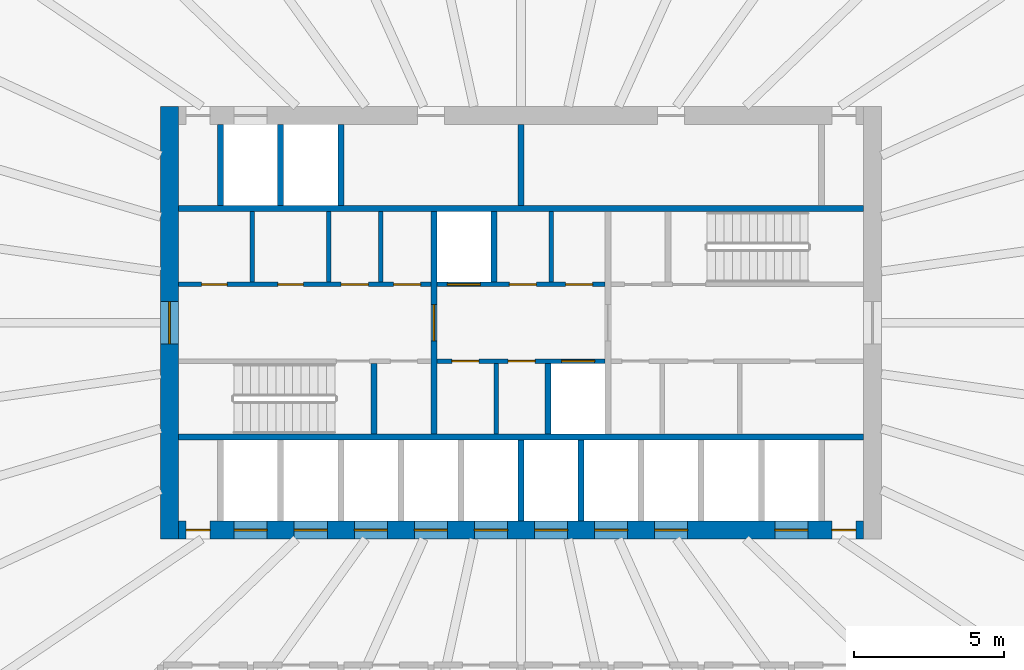
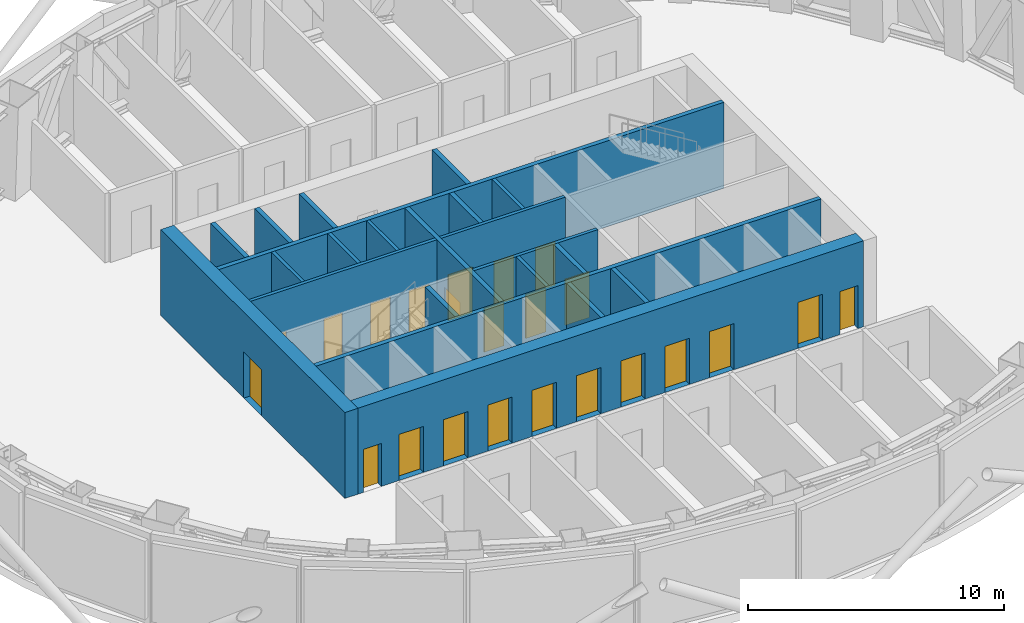
# One storey, part 6 of 18: 23 doors, 22 walls, 23 openings.
"""IFC4 building model written with IfcOpenShell, lengths in metres."""

from ifc_helpers import new_model, si_unit, direction, frame, frame_2d, origin, place, context, subcontext, project, spatial, rectangle, extrude, material, layer, layer_set, type_object, element, fill, save


model = new_model("IFC4")

# Units and contexts
model_context = context("Model", 3, precision=1e-05, world=origin(), true_north=direction((0.0, 1.0)))
body_context = subcontext(model_context, "Body", "Model", "MODEL_VIEW")
ifc_project = project(units=[si_unit("LENGTHUNIT", "METRE"), si_unit("AREAUNIT", "SQUARE_METRE"), si_unit("VOLUMEUNIT", "CUBIC_METRE"), si_unit("PLANEANGLEUNIT", "RADIAN"), si_unit("MASSUNIT", "GRAM", prefix="KILO")], contexts=[model_context])

# Site, building, storey
site_placement = place(None, origin())
site = spatial("IfcSite", under=ifc_project, at=site_placement, CompositionType="ELEMENT")
building_placement = place(site_placement, origin())
building = spatial("IfcBuilding", under=site, at=building_placement, Name="Siaravel Broadcast Tower", CompositionType="ELEMENT")
storey_placement = place(building_placement, frame((0.0, 0.0, 92.60009765625)))
storey = spatial("IfcBuildingStorey", under=building, at=storey_placement, Name="L21", CompositionType="ELEMENT", Elevation=92.60009765625)

# Walls
ifc_material_1 = material(Name="Concrete blockwork", Category="masonry")
ifc_layer_1 = layer(ifc_material_1, 0.14990234375)
ifc_layer_set_1 = layer_set([ifc_layer_1], Name="Concrete blockwork")
wall_type_1 = type_object("IfcWallType", Name="Core partition 150", PredefinedType="PARTITIONING", material=ifc_layer_set_1)
for number, where, z_axis, x_axis, name in (
    (1, (-8.93994140625, 1.35009765625, 0.0), (0.0, 0.0, 1.0), (0.0, 1.0, 0.0), "L21 core partition PNW0"),
    (2, (-6.405029296875, 1.35009765625, 0.0), (0.0, 0.0, 1.0), (0.0, 1.0, 0.0), "L21 core partition PNW1"),
    (3, (-4.6650390625, 1.35009765625, 0.0), (0.0, 0.0, 1.0), (0.0, 1.0, 0.0), "L21 core partition PNW2"),
    (4, (1.0, 1.35009765625, 0.0), (0.0, 0.0, 1.0), (0.0, 1.0, 0.0), "L21 core partition PNM0"),
    (5, (-0.827392578125, -3.699951171875, 0.0), (0.0, 0.0, 1.0), (0.0, 1.0, 0.0), "L21 core partition PSM0"),
):
    element("IfcWall", number, at=place(storey_placement, frame(where, z_axis=z_axis, x_axis=x_axis)), inside=storey, type_object=wall_type_1, Name=name, PredefinedType="PARTITIONING", context=body_context, shape_type="SweptSolid", body=[
        extrude(rectangle(XDim=2.349853515625, YDim=0.14990234375, at=frame_2d((1.1748046875, 0.0))), origin(), (0.0, 0.0, 1.0), 4.099853515625),
    ])
ifc_layer_2 = layer(ifc_material_1, 0.199951171875)
ifc_layer_set_2 = layer_set([ifc_layer_2], Name="Concrete blockwork")
wall_type_2 = type_object("IfcWallType", Name="Core partition 200", PredefinedType="PARTITIONING", material=ifc_layer_set_2)
wall_1_placement = place(storey_placement, frame((0.0, 3.89990234375, 0.0), z_axis=(0.0, 0.0, 1.0), x_axis=(0.0, 1.0, 0.0)))
element("IfcWall", 6, at=wall_1_placement, inside=storey, type_object=wall_type_2, Name="L21 core partition PFN2", PredefinedType="PARTITIONING", context=body_context, shape_type="SweptSolid", body=[
    extrude(rectangle(XDim=2.7001953125, YDim=0.199951171875, at=frame_2d((1.35009765625, 0.0))), origin(), (0.0, 0.0, 1.0), 4.099853515625),
])

# Wall, opening, door
ifc_material_2 = material(Name="Concrete C60/75", Category="concrete")
ifc_layer_3 = layer(ifc_material_2, 0.60009765625)
ifc_layer_set_3 = layer_set([ifc_layer_3], Name="Concrete C60/75")
wall_type_3 = type_object("IfcWallType", Name="Core wall 600", PredefinedType="SHEAR", material=ifc_layer_set_3)
wall_2_placement = place(storey_placement, frame((-11.699951171875, -7.199951171875, 0.0), z_axis=(0.0, 0.0, 1.0), x_axis=(0.0, 1.0, 0.0)))
wall_2 = element("IfcWall", 7, at=wall_2_placement, inside=storey, type_object=wall_type_3, Name="L21 core wall OW", PredefinedType="SHEAR", context=body_context, shape_type="SweptSolid", body=[
    extrude(rectangle(XDim=14.39990234375, YDim=0.60009765625, at=frame_2d((7.199951171875, 0.0))), origin(), (0.0, 0.0, 1.0), 4.099853515625),
])
opening_1_placement = place(wall_2_placement, frame((6.5, 0.0, 0.0)))
opening_1 = element("IfcOpeningElement", 8, at=opening_1_placement, cuts=wall_2, Name="Opening L21-DX-W", PredefinedType="OPENING", context=body_context, shape_type="SweptSolid", body=[
    extrude(rectangle(XDim=1.39990234375, YDim=2.199951171875, at=frame_2d((0.699951171875, 1.10009765625))), frame((0.0, 0.31005859375, 0.0), z_axis=(0.0, -1.0, 0.0), x_axis=(1.0, 0.0, 0.0)), (0.0, 0.0, 1.0), 0.6201171875),
])
ifc_material_3 = material(Name="Steel", Category="steel")
door_type_1 = type_object("IfcDoorType", Name="Core exit door 1400", OperationType="DOUBLE_DOOR_SINGLE_SWING", PredefinedType="DOOR", material=ifc_material_3)
door_1_placement = place(opening_1_placement, origin())
door_1 = element("IfcDoor", 9, at=door_1_placement, inside=storey, type_object=door_type_1, Name="L21 door DX-W", OperationType="DOUBLE_DOOR_SINGLE_SWING", OverallHeight=2.199951171875, OverallWidth=1.39990234375, PredefinedType="DOOR", context=body_context, shape_type="SweptSolid", body=[
    extrude(rectangle(XDim=1.39990234375, YDim=2.199951171875, at=frame_2d((0.699951171875, 1.10009765625))), frame((0.0, 0.02490234375, 0.0), z_axis=(0.0, -1.0, 0.0), x_axis=(1.0, 0.0, 0.0)), (0.0, 0.0, 1.0), 0.050048828125),
])
fill(opening_1, door_1)

# Wall, openings, doors
wall_3_placement = place(storey_placement, frame((-11.39990234375, -6.89990234375, 0.0), z_axis=(0.0, 0.0, 1.0), x_axis=(1.0, 0.0, 0.0)))
wall_3 = element("IfcWall", 10, at=wall_3_placement, inside=storey, type_object=wall_type_3, Name="L21 core wall OS", PredefinedType="SHEAR", context=body_context, shape_type="SweptSolid", body=[
    extrude(rectangle(XDim=22.7998046875, YDim=0.60009765625, at=frame_2d((11.39990234375, 0.0))), origin(), (0.0, 0.0, 1.0), 4.099853515625),
])
opening_2_placement = place(wall_3_placement, frame((1.85009765625, 0.0, 0.0)))
opening_2 = element("IfcOpeningElement", 11, at=opening_2_placement, cuts=wall_3, Name="Opening LD-LP1-L21", PredefinedType="OPENING", context=body_context, shape_type="SweptSolid", body=[
    extrude(rectangle(XDim=1.10009765625, YDim=2.199951171875, at=frame_2d((0.550048828125, 1.10009765625))), frame((0.0, 0.31005859375, 0.0), z_axis=(0.0, -1.0, 0.0), x_axis=(1.0, 0.0, 0.0)), (0.0, 0.0, 1.0), 0.6201171875),
])
opening_3_placement = place(wall_3_placement, frame((3.85009765625, 0.0, 0.0)))
opening_3 = element("IfcOpeningElement", 12, at=opening_3_placement, cuts=wall_3, Name="Opening LD-LP2-L21", PredefinedType="OPENING", context=body_context, shape_type="SweptSolid", body=[
    extrude(rectangle(XDim=1.10009765625, YDim=2.199951171875, at=frame_2d((0.550048828125, 1.10009765625))), frame((0.0, 0.31005859375, 0.0), z_axis=(0.0, -1.0, 0.0), x_axis=(1.0, 0.0, 0.0)), (0.0, 0.0, 1.0), 0.6201171875),
])
opening_4_placement = place(wall_3_placement, frame((5.85009765625, 0.0, 0.0)))
opening_4 = element("IfcOpeningElement", 13, at=opening_4_placement, cuts=wall_3, Name="Opening LD-LP3-L21", PredefinedType="OPENING", context=body_context, shape_type="SweptSolid", body=[
    extrude(rectangle(XDim=1.10009765625, YDim=2.199951171875, at=frame_2d((0.550048828125, 1.10009765625))), frame((0.0, 0.31005859375, 0.0), z_axis=(0.0, -1.0, 0.0), x_axis=(1.0, 0.0, 0.0)), (0.0, 0.0, 1.0), 0.6201171875),
])
opening_5_placement = place(wall_3_placement, frame((7.85009765625, 0.0, 0.0)))
opening_5 = element("IfcOpeningElement", 14, at=opening_5_placement, cuts=wall_3, Name="Opening LD-LP4-L21", PredefinedType="OPENING", context=body_context, shape_type="SweptSolid", body=[
    extrude(rectangle(XDim=1.10009765625, YDim=2.199951171875, at=frame_2d((0.550048828125, 1.10009765625))), frame((0.0, 0.31005859375, 0.0), z_axis=(0.0, -1.0, 0.0), x_axis=(1.0, 0.0, 0.0)), (0.0, 0.0, 1.0), 0.6201171875),
])
opening_6_placement = place(wall_3_placement, frame((9.85009765625, 0.0, 0.0)))
opening_6 = element("IfcOpeningElement", 15, at=opening_6_placement, cuts=wall_3, Name="Opening LD-LP5-L21", PredefinedType="OPENING", context=body_context, shape_type="SweptSolid", body=[
    extrude(rectangle(XDim=1.10009765625, YDim=2.199951171875, at=frame_2d((0.550048828125, 1.10009765625))), frame((0.0, 0.31005859375, 0.0), z_axis=(0.0, -1.0, 0.0), x_axis=(1.0, 0.0, 0.0)), (0.0, 0.0, 1.0), 0.6201171875),
])
opening_7_placement = place(wall_3_placement, frame((11.85009765625, 0.0, 0.0)))
opening_7 = element("IfcOpeningElement", 16, at=opening_7_placement, cuts=wall_3, Name="Opening LD-LP6-L21", PredefinedType="OPENING", context=body_context, shape_type="SweptSolid", body=[
    extrude(rectangle(XDim=1.10009765625, YDim=2.199951171875, at=frame_2d((0.550048828125, 1.10009765625))), frame((0.0, 0.31005859375, 0.0), z_axis=(0.0, -1.0, 0.0), x_axis=(1.0, 0.0, 0.0)), (0.0, 0.0, 1.0), 0.6201171875),
])
opening_8_placement = place(wall_3_placement, frame((13.85009765625, 0.0, 0.0)))
opening_8 = element("IfcOpeningElement", 17, at=opening_8_placement, cuts=wall_3, Name="Opening LD-LP7-L21", PredefinedType="OPENING", context=body_context, shape_type="SweptSolid", body=[
    extrude(rectangle(XDim=1.10009765625, YDim=2.199951171875, at=frame_2d((0.550048828125, 1.10009765625))), frame((0.0, 0.31005859375, 0.0), z_axis=(0.0, -1.0, 0.0), x_axis=(1.0, 0.0, 0.0)), (0.0, 0.0, 1.0), 0.6201171875),
])
opening_9_placement = place(wall_3_placement, frame((15.85009765625, 0.0, 0.0)))
opening_9 = element("IfcOpeningElement", 18, at=opening_9_placement, cuts=wall_3, Name="Opening LD-LP8-L21", PredefinedType="OPENING", context=body_context, shape_type="SweptSolid", body=[
    extrude(rectangle(XDim=1.10009765625, YDim=2.199951171875, at=frame_2d((0.550048828125, 1.10009765625))), frame((0.0, 0.31005859375, 0.0), z_axis=(0.0, -1.0, 0.0), x_axis=(1.0, 0.0, 0.0)), (0.0, 0.0, 1.0), 0.6201171875),
])
opening_10_placement = place(wall_3_placement, frame((19.85009765625, 0.0, 0.0)))
opening_10 = element("IfcOpeningElement", 19, at=opening_10_placement, cuts=wall_3, Name="Opening LD-SV1-L21", PredefinedType="OPENING", context=body_context, shape_type="SweptSolid", body=[
    extrude(rectangle(XDim=1.10009765625, YDim=2.199951171875, at=frame_2d((0.550048828125, 1.10009765625))), frame((0.0, 0.31005859375, 0.0), z_axis=(0.0, -1.0, 0.0), x_axis=(1.0, 0.0, 0.0)), (0.0, 0.0, 1.0), 0.6201171875),
])
opening_11_placement = place(wall_3_placement, frame((0.25, 0.0, 0.0)))
opening_11 = element("IfcOpeningElement", 20, at=opening_11_placement, cuts=wall_3, Name="Opening L21-DRSW", PredefinedType="OPENING", context=body_context, shape_type="SweptSolid", body=[
    extrude(rectangle(XDim=0.800048828125, YDim=2.050048828125, at=frame_2d((0.39990234375, 1.02490234375))), frame((0.0, 0.31005859375, 0.0), z_axis=(0.0, -1.0, 0.0), x_axis=(1.0, 0.0, 0.0)), (0.0, 0.0, 1.0), 0.6201171875),
])
opening_12_placement = place(wall_3_placement, frame((21.75, 0.0, 0.0)))
opening_12 = element("IfcOpeningElement", 21, at=opening_12_placement, cuts=wall_3, Name="Opening L21-DRSE", PredefinedType="OPENING", context=body_context, shape_type="SweptSolid", body=[
    extrude(rectangle(XDim=0.800048828125, YDim=2.050048828125, at=frame_2d((0.39990234375, 1.02490234375))), frame((0.0, 0.31005859375, 0.0), z_axis=(0.0, -1.0, 0.0), x_axis=(1.0, 0.0, 0.0)), (0.0, 0.0, 1.0), 0.6201171875),
])
ifc_material_4 = material(Name="Stainless steel 316L", Category="steel")
door_type_2 = type_object("IfcDoorType", Name="Lift landing door 1100", OperationType="DOUBLE_DOOR_SLIDING", PredefinedType="DOOR", material=ifc_material_4)
door_2_placement = place(opening_2_placement, origin())
door_2 = element("IfcDoor", 22, at=door_2_placement, inside=storey, type_object=door_type_2, Name="Landing door LP1 L21", OperationType="DOUBLE_DOOR_SLIDING", OverallHeight=2.199951171875, OverallWidth=1.10009765625, PredefinedType="DOOR", context=body_context, shape_type="SweptSolid", body=[
    extrude(rectangle(XDim=1.10009765625, YDim=2.199951171875, at=frame_2d((0.550048828125, 1.10009765625))), frame((0.0, 0.02490234375, 0.0), z_axis=(0.0, -1.0, 0.0), x_axis=(1.0, 0.0, 0.0)), (0.0, 0.0, 1.0), 0.050048828125),
])
fill(opening_2, door_2)
door_3_placement = place(opening_3_placement, origin())
door_3 = element("IfcDoor", 23, at=door_3_placement, inside=storey, type_object=door_type_2, Name="Landing door LP2 L21", OperationType="DOUBLE_DOOR_SLIDING", OverallHeight=2.199951171875, OverallWidth=1.10009765625, PredefinedType="DOOR", context=body_context, shape_type="SweptSolid", body=[
    extrude(rectangle(XDim=1.10009765625, YDim=2.199951171875, at=frame_2d((0.550048828125, 1.10009765625))), frame((0.0, 0.02490234375, 0.0), z_axis=(0.0, -1.0, 0.0), x_axis=(1.0, 0.0, 0.0)), (0.0, 0.0, 1.0), 0.050048828125),
])
fill(opening_3, door_3)
door_4_placement = place(opening_4_placement, origin())
door_4 = element("IfcDoor", 24, at=door_4_placement, inside=storey, type_object=door_type_2, Name="Landing door LP3 L21", OperationType="DOUBLE_DOOR_SLIDING", OverallHeight=2.199951171875, OverallWidth=1.10009765625, PredefinedType="DOOR", context=body_context, shape_type="SweptSolid", body=[
    extrude(rectangle(XDim=1.10009765625, YDim=2.199951171875, at=frame_2d((0.550048828125, 1.10009765625))), frame((0.0, 0.02490234375, 0.0), z_axis=(0.0, -1.0, 0.0), x_axis=(1.0, 0.0, 0.0)), (0.0, 0.0, 1.0), 0.050048828125),
])
fill(opening_4, door_4)
door_5_placement = place(opening_5_placement, origin())
door_5 = element("IfcDoor", 25, at=door_5_placement, inside=storey, type_object=door_type_2, Name="Landing door LP4 L21", OperationType="DOUBLE_DOOR_SLIDING", OverallHeight=2.199951171875, OverallWidth=1.10009765625, PredefinedType="DOOR", context=body_context, shape_type="SweptSolid", body=[
    extrude(rectangle(XDim=1.10009765625, YDim=2.199951171875, at=frame_2d((0.550048828125, 1.10009765625))), frame((0.0, 0.02490234375, 0.0), z_axis=(0.0, -1.0, 0.0), x_axis=(1.0, 0.0, 0.0)), (0.0, 0.0, 1.0), 0.050048828125),
])
fill(opening_5, door_5)
door_6_placement = place(opening_6_placement, origin())
door_6 = element("IfcDoor", 26, at=door_6_placement, inside=storey, type_object=door_type_2, Name="Landing door LP5 L21", OperationType="DOUBLE_DOOR_SLIDING", OverallHeight=2.199951171875, OverallWidth=1.10009765625, PredefinedType="DOOR", context=body_context, shape_type="SweptSolid", body=[
    extrude(rectangle(XDim=1.10009765625, YDim=2.199951171875, at=frame_2d((0.550048828125, 1.10009765625))), frame((0.0, 0.02490234375, 0.0), z_axis=(0.0, -1.0, 0.0), x_axis=(1.0, 0.0, 0.0)), (0.0, 0.0, 1.0), 0.050048828125),
])
fill(opening_6, door_6)
door_7_placement = place(opening_7_placement, origin())
door_7 = element("IfcDoor", 27, at=door_7_placement, inside=storey, type_object=door_type_2, Name="Landing door LP6 L21", OperationType="DOUBLE_DOOR_SLIDING", OverallHeight=2.199951171875, OverallWidth=1.10009765625, PredefinedType="DOOR", context=body_context, shape_type="SweptSolid", body=[
    extrude(rectangle(XDim=1.10009765625, YDim=2.199951171875, at=frame_2d((0.550048828125, 1.10009765625))), frame((0.0, 0.02490234375, 0.0), z_axis=(0.0, -1.0, 0.0), x_axis=(1.0, 0.0, 0.0)), (0.0, 0.0, 1.0), 0.050048828125),
])
fill(opening_7, door_7)
door_8_placement = place(opening_8_placement, origin())
door_8 = element("IfcDoor", 28, at=door_8_placement, inside=storey, type_object=door_type_2, Name="Landing door LP7 L21", OperationType="DOUBLE_DOOR_SLIDING", OverallHeight=2.199951171875, OverallWidth=1.10009765625, PredefinedType="DOOR", context=body_context, shape_type="SweptSolid", body=[
    extrude(rectangle(XDim=1.10009765625, YDim=2.199951171875, at=frame_2d((0.550048828125, 1.10009765625))), frame((0.0, 0.02490234375, 0.0), z_axis=(0.0, -1.0, 0.0), x_axis=(1.0, 0.0, 0.0)), (0.0, 0.0, 1.0), 0.050048828125),
])
fill(opening_8, door_8)
door_9_placement = place(opening_9_placement, origin())
door_9 = element("IfcDoor", 29, at=door_9_placement, inside=storey, type_object=door_type_2, Name="Landing door LP8 L21", OperationType="DOUBLE_DOOR_SLIDING", OverallHeight=2.199951171875, OverallWidth=1.10009765625, PredefinedType="DOOR", context=body_context, shape_type="SweptSolid", body=[
    extrude(rectangle(XDim=1.10009765625, YDim=2.199951171875, at=frame_2d((0.550048828125, 1.10009765625))), frame((0.0, 0.02490234375, 0.0), z_axis=(0.0, -1.0, 0.0), x_axis=(1.0, 0.0, 0.0)), (0.0, 0.0, 1.0), 0.050048828125),
])
fill(opening_9, door_9)
door_type_3 = type_object("IfcDoorType", Name="Riser door 800", OperationType="SINGLE_SWING_LEFT", PredefinedType="DOOR", material=ifc_material_3)
door_10_placement = place(opening_11_placement, origin())
door_10 = element("IfcDoor", 30, at=door_10_placement, inside=storey, type_object=door_type_3, Name="L21 door DRSW", OperationType="SINGLE_SWING_LEFT", OverallHeight=2.050048828125, OverallWidth=0.800048828125, PredefinedType="DOOR", context=body_context, shape_type="SweptSolid", body=[
    extrude(rectangle(XDim=0.800048828125, YDim=2.050048828125, at=frame_2d((0.39990234375, 1.02490234375))), frame((0.0, 0.02490234375, 0.0), z_axis=(0.0, -1.0, 0.0), x_axis=(1.0, 0.0, 0.0)), (0.0, 0.0, 1.0), 0.050048828125),
])
fill(opening_11, door_10)
door_11_placement = place(opening_12_placement, origin())
door_11 = element("IfcDoor", 31, at=door_11_placement, inside=storey, type_object=door_type_3, Name="L21 door DRSE", OperationType="SINGLE_SWING_LEFT", OverallHeight=2.050048828125, OverallWidth=0.800048828125, PredefinedType="DOOR", context=body_context, shape_type="SweptSolid", body=[
    extrude(rectangle(XDim=0.800048828125, YDim=2.050048828125, at=frame_2d((0.39990234375, 1.02490234375))), frame((0.0, 0.02490234375, 0.0), z_axis=(0.0, -1.0, 0.0), x_axis=(1.0, 0.0, 0.0)), (0.0, 0.0, 1.0), 0.050048828125),
])
fill(opening_12, door_11)
door_type_4 = type_object("IfcDoorType", Name="Service lift landing door 1100", OperationType="DOUBLE_DOOR_SLIDING", PredefinedType="DOOR", material=ifc_material_4)
door_12_placement = place(opening_10_placement, origin())
door_12 = element("IfcDoor", 32, at=door_12_placement, inside=storey, type_object=door_type_4, Name="Landing door SV1 L21", OperationType="DOUBLE_DOOR_SLIDING", OverallHeight=2.199951171875, OverallWidth=1.10009765625, PredefinedType="DOOR", context=body_context, shape_type="SweptSolid", body=[
    extrude(rectangle(XDim=1.10009765625, YDim=2.199951171875, at=frame_2d((0.550048828125, 1.10009765625))), frame((0.0, 0.02490234375, 0.0), z_axis=(0.0, -1.0, 0.0), x_axis=(1.0, 0.0, 0.0)), (0.0, 0.0, 1.0), 0.050048828125),
])
fill(opening_10, door_12)

ifc_material_5 = material(Name="Gypsum board partition", Category="gypsum")
ifc_layer_4 = layer(ifc_material_5, 0.14990234375)
ifc_layer_set_4 = layer_set([ifc_layer_4], Name="Gypsum board partition")
wall_type_4 = type_object("IfcWallType", Name="Corridor wall 150", PredefinedType="PARTITIONING", material=ifc_layer_set_4)
wall_4_placement = place(storey_placement, frame((-11.39990234375, 1.27490234375, 0.0), z_axis=(0.0, 0.0, 1.0), x_axis=(1.0, 0.0, 0.0)))
wall_4 = element("IfcWall", 33, at=wall_4_placement, inside=storey, type_object=wall_type_4, Name="L21 core partition CNW", PredefinedType="PARTITIONING", context=body_context, shape_type="SweptSolid", body=[
    extrude(rectangle(XDim=8.39990234375, YDim=0.14990234375, at=frame_2d((4.199951171875, 0.0))), origin(), (0.0, 0.0, 1.0), 4.099853515625),
])
opening_13_placement = place(wall_4_placement, frame((0.767578125, 0.0, 0.0)))
opening_13 = element("IfcOpeningElement", 34, at=opening_13_placement, cuts=wall_4, Name="Opening L21-DNW0", PredefinedType="OPENING", context=body_context, shape_type="SweptSolid", body=[
    extrude(rectangle(XDim=0.85009765625, YDim=2.10009765625, at=frame_2d((0.425048828125, 1.050048828125))), frame((0.0, 0.0849609375, 0.0), z_axis=(0.0, -1.0, 0.0), x_axis=(1.0, 0.0, 0.0)), (0.0, 0.0, 1.0), 0.169921875),
])
opening_14_placement = place(wall_4_placement, frame((3.302490234375, 0.0, 0.0)))
opening_14 = element("IfcOpeningElement", 35, at=opening_14_placement, cuts=wall_4, Name="Opening L21-DNW1", PredefinedType="OPENING", context=body_context, shape_type="SweptSolid", body=[
    extrude(rectangle(XDim=0.85009765625, YDim=2.10009765625, at=frame_2d((0.425048828125, 1.050048828125))), frame((0.0, 0.0849609375, 0.0), z_axis=(0.0, -1.0, 0.0), x_axis=(1.0, 0.0, 0.0)), (0.0, 0.0, 1.0), 0.169921875),
])
opening_15_placement = place(wall_4_placement, frame((5.4150390625, 0.0, 0.0)))
opening_15 = element("IfcOpeningElement", 36, at=opening_15_placement, cuts=wall_4, Name="Opening L21-DNW2", PredefinedType="OPENING", context=body_context, shape_type="SweptSolid", body=[
    extrude(rectangle(XDim=0.89990234375, YDim=2.10009765625, at=frame_2d((0.449951171875, 1.050048828125))), frame((0.0, 0.0849609375, 0.0), z_axis=(0.0, -1.0, 0.0), x_axis=(1.0, 0.0, 0.0)), (0.0, 0.0, 1.0), 0.169921875),
])
opening_16_placement = place(wall_4_placement, frame((7.155029296875, 0.0, 0.0)))
opening_16 = element("IfcOpeningElement", 37, at=opening_16_placement, cuts=wall_4, Name="Opening L21-DNW3", PredefinedType="OPENING", context=body_context, shape_type="SweptSolid", body=[
    extrude(rectangle(XDim=0.89990234375, YDim=2.10009765625, at=frame_2d((0.449951171875, 1.050048828125))), frame((0.0, 0.0849609375, 0.0), z_axis=(0.0, -1.0, 0.0), x_axis=(1.0, 0.0, 0.0)), (0.0, 0.0, 1.0), 0.169921875),
])
ifc_material_6 = material(Name="Timber veneer", Category="wood")
door_type_5 = type_object("IfcDoorType", Name="Core room door 900", OperationType="SINGLE_SWING_LEFT", PredefinedType="DOOR", material=ifc_material_6)
door_13_placement = place(opening_15_placement, origin())
door_13 = element("IfcDoor", 38, at=door_13_placement, inside=storey, type_object=door_type_5, Name="L21 door DNW2", OperationType="SINGLE_SWING_LEFT", OverallHeight=2.10009765625, OverallWidth=0.89990234375, PredefinedType="DOOR", context=body_context, shape_type="SweptSolid", body=[
    extrude(rectangle(XDim=0.89990234375, YDim=2.10009765625, at=frame_2d((0.449951171875, 1.050048828125))), frame((0.0, 0.02490234375, 0.0), z_axis=(0.0, -1.0, 0.0), x_axis=(1.0, 0.0, 0.0)), (0.0, 0.0, 1.0), 0.050048828125),
])
fill(opening_15, door_13)
door_14_placement = place(opening_16_placement, origin())
door_14 = element("IfcDoor", 39, at=door_14_placement, inside=storey, type_object=door_type_5, Name="L21 door DNW3", OperationType="SINGLE_SWING_LEFT", OverallHeight=2.10009765625, OverallWidth=0.89990234375, PredefinedType="DOOR", context=body_context, shape_type="SweptSolid", body=[
    extrude(rectangle(XDim=0.89990234375, YDim=2.10009765625, at=frame_2d((0.449951171875, 1.050048828125))), frame((0.0, 0.02490234375, 0.0), z_axis=(0.0, -1.0, 0.0), x_axis=(1.0, 0.0, 0.0)), (0.0, 0.0, 1.0), 0.050048828125),
])
fill(opening_16, door_14)
door_type_6 = type_object("IfcDoorType", Name="Core toilet door 850", OperationType="SINGLE_SWING_LEFT", PredefinedType="DOOR", material=ifc_material_6)
door_15_placement = place(opening_13_placement, origin())
door_15 = element("IfcDoor", 40, at=door_15_placement, inside=storey, type_object=door_type_6, Name="L21 door DNW0", OperationType="SINGLE_SWING_LEFT", OverallHeight=2.10009765625, OverallWidth=0.85009765625, PredefinedType="DOOR", context=body_context, shape_type="SweptSolid", body=[
    extrude(rectangle(XDim=0.85009765625, YDim=2.10009765625, at=frame_2d((0.425048828125, 1.050048828125))), frame((0.0, 0.02490234375, 0.0), z_axis=(0.0, -1.0, 0.0), x_axis=(1.0, 0.0, 0.0)), (0.0, 0.0, 1.0), 0.050048828125),
])
fill(opening_13, door_15)
door_16_placement = place(opening_14_placement, origin())
door_16 = element("IfcDoor", 41, at=door_16_placement, inside=storey, type_object=door_type_6, Name="L21 door DNW1", OperationType="SINGLE_SWING_LEFT", OverallHeight=2.10009765625, OverallWidth=0.85009765625, PredefinedType="DOOR", context=body_context, shape_type="SweptSolid", body=[
    extrude(rectangle(XDim=0.85009765625, YDim=2.10009765625, at=frame_2d((0.425048828125, 1.050048828125))), frame((0.0, 0.02490234375, 0.0), z_axis=(0.0, -1.0, 0.0), x_axis=(1.0, 0.0, 0.0)), (0.0, 0.0, 1.0), 0.050048828125),
])
fill(opening_14, door_16)

ifc_layer_5 = layer(ifc_material_2, 0.14990234375)
ifc_layer_set_5 = layer_set([ifc_layer_5], Name="Concrete C60/75")
wall_type_5 = type_object("IfcWallType", Name="Shaft wall 150", PredefinedType="SHEAR", material=ifc_layer_set_5)
wall_5_placement = place(storey_placement, frame((-2.800048828125, -1.27490234375, 0.0), z_axis=(0.0, 0.0, 1.0), x_axis=(1.0, 0.0, 0.0)))
wall_5 = element("IfcWall", 42, at=wall_5_placement, inside=storey, type_object=wall_type_5, Name="L21 core wall CSM", PredefinedType="SHEAR", context=body_context, shape_type="SweptSolid", body=[
    extrude(rectangle(XDim=5.60009765625, YDim=0.14990234375, at=frame_2d((2.800048828125, 0.0))), origin(), (0.0, 0.0, 1.0), 4.099853515625),
])
opening_17_placement = place(wall_5_placement, frame((4.14990234375, 0.0, 0.0)))
opening_17 = element("IfcOpeningElement", 43, at=opening_17_placement, cuts=wall_5, Name="Opening LD-FL2-L21", PredefinedType="OPENING", context=body_context, shape_type="SweptSolid", body=[
    extrude(rectangle(XDim=1.10009765625, YDim=2.199951171875, at=frame_2d((0.550048828125, 1.10009765625))), frame((0.0, 0.0849609375, 0.0), z_axis=(0.0, -1.0, 0.0), x_axis=(1.0, 0.0, 0.0)), (0.0, 0.0, 1.0), 0.169921875),
])
opening_18_placement = place(wall_5_placement, frame((0.498779296875, 0.0, 0.0)))
opening_18 = element("IfcOpeningElement", 44, at=opening_18_placement, cuts=wall_5, Name="Opening L21-DSM0", PredefinedType="OPENING", context=body_context, shape_type="SweptSolid", body=[
    extrude(rectangle(XDim=0.89990234375, YDim=2.10009765625, at=frame_2d((0.449951171875, 1.050048828125))), frame((0.0, 0.0849609375, 0.0), z_axis=(0.0, -1.0, 0.0), x_axis=(1.0, 0.0, 0.0)), (0.0, 0.0, 1.0), 0.169921875),
])
opening_19_placement = place(wall_5_placement, frame((2.373779296875, 0.0, 0.0)))
opening_19 = element("IfcOpeningElement", 45, at=opening_19_placement, cuts=wall_5, Name="Opening L21-DSM1", PredefinedType="OPENING", context=body_context, shape_type="SweptSolid", body=[
    extrude(rectangle(XDim=0.89990234375, YDim=2.10009765625, at=frame_2d((0.449951171875, 1.050048828125))), frame((0.0, 0.0849609375, 0.0), z_axis=(0.0, -1.0, 0.0), x_axis=(1.0, 0.0, 0.0)), (0.0, 0.0, 1.0), 0.169921875),
])
door_17_placement = place(opening_18_placement, origin())
door_17 = element("IfcDoor", 46, at=door_17_placement, inside=storey, type_object=door_type_5, Name="L21 door DSM0", OperationType="SINGLE_SWING_LEFT", OverallHeight=2.10009765625, OverallWidth=0.89990234375, PredefinedType="DOOR", context=body_context, shape_type="SweptSolid", body=[
    extrude(rectangle(XDim=0.89990234375, YDim=2.10009765625, at=frame_2d((0.449951171875, 1.050048828125))), frame((0.0, 0.02490234375, 0.0), z_axis=(0.0, -1.0, 0.0), x_axis=(1.0, 0.0, 0.0)), (0.0, 0.0, 1.0), 0.050048828125),
])
fill(opening_18, door_17)
door_18_placement = place(opening_19_placement, origin())
door_18 = element("IfcDoor", 47, at=door_18_placement, inside=storey, type_object=door_type_5, Name="L21 door DSM1", OperationType="SINGLE_SWING_LEFT", OverallHeight=2.10009765625, OverallWidth=0.89990234375, PredefinedType="DOOR", context=body_context, shape_type="SweptSolid", body=[
    extrude(rectangle(XDim=0.89990234375, YDim=2.10009765625, at=frame_2d((0.449951171875, 1.050048828125))), frame((0.0, 0.02490234375, 0.0), z_axis=(0.0, -1.0, 0.0), x_axis=(1.0, 0.0, 0.0)), (0.0, 0.0, 1.0), 0.050048828125),
])
fill(opening_19, door_18)
door_type_7 = type_object("IfcDoorType", Name="Firefighting lift landing door 1100", OperationType="DOUBLE_DOOR_SLIDING", PredefinedType="DOOR", material=ifc_material_4)
door_19_placement = place(opening_17_placement, origin())
door_19 = element("IfcDoor", 48, at=door_19_placement, inside=storey, type_object=door_type_7, Name="Landing door FL2 L21", OperationType="DOUBLE_DOOR_SLIDING", OverallHeight=2.199951171875, OverallWidth=1.10009765625, PredefinedType="DOOR", context=body_context, shape_type="SweptSolid", body=[
    extrude(rectangle(XDim=1.10009765625, YDim=2.199951171875, at=frame_2d((0.550048828125, 1.10009765625))), frame((0.0, 0.02490234375, 0.0), z_axis=(0.0, -1.0, 0.0), x_axis=(1.0, 0.0, 0.0)), (0.0, 0.0, 1.0), 0.050048828125),
])
fill(opening_17, door_19)

wall_6_placement = place(storey_placement, frame((-2.800048828125, 1.27490234375, 0.0), z_axis=(0.0, 0.0, 1.0), x_axis=(1.0, 0.0, 0.0)))
wall_6 = element("IfcWall", 49, at=wall_6_placement, inside=storey, type_object=wall_type_5, Name="L21 core wall CNM", PredefinedType="SHEAR", context=body_context, shape_type="SweptSolid", body=[
    extrude(rectangle(XDim=5.60009765625, YDim=0.14990234375, at=frame_2d((2.800048828125, 0.0))), origin(), (0.0, 0.0, 1.0), 4.099853515625),
])
opening_20_placement = place(wall_6_placement, frame((0.35009765625, 0.0, 0.0)))
opening_20 = element("IfcOpeningElement", 50, at=opening_20_placement, cuts=wall_6, Name="Opening LD-FL1-L21", PredefinedType="OPENING", context=body_context, shape_type="SweptSolid", body=[
    extrude(rectangle(XDim=1.10009765625, YDim=2.199951171875, at=frame_2d((0.550048828125, 1.10009765625))), frame((0.0, 0.0849609375, 0.0), z_axis=(0.0, -1.0, 0.0), x_axis=(1.0, 0.0, 0.0)), (0.0, 0.0, 1.0), 0.169921875),
])
opening_21_placement = place(wall_6_placement, frame((2.41259765625, 0.0, 0.0)))
opening_21 = element("IfcOpeningElement", 51, at=opening_21_placement, cuts=wall_6, Name="Opening L21-DNM0", PredefinedType="OPENING", context=body_context, shape_type="SweptSolid", body=[
    extrude(rectangle(XDim=0.89990234375, YDim=2.10009765625, at=frame_2d((0.449951171875, 1.050048828125))), frame((0.0, 0.0849609375, 0.0), z_axis=(0.0, -1.0, 0.0), x_axis=(1.0, 0.0, 0.0)), (0.0, 0.0, 1.0), 0.169921875),
])
opening_22_placement = place(wall_6_placement, frame((4.28759765625, 0.0, 0.0)))
opening_22 = element("IfcOpeningElement", 52, at=opening_22_placement, cuts=wall_6, Name="Opening L21-DNM1", PredefinedType="OPENING", context=body_context, shape_type="SweptSolid", body=[
    extrude(rectangle(XDim=0.89990234375, YDim=2.10009765625, at=frame_2d((0.449951171875, 1.050048828125))), frame((0.0, 0.0849609375, 0.0), z_axis=(0.0, -1.0, 0.0), x_axis=(1.0, 0.0, 0.0)), (0.0, 0.0, 1.0), 0.169921875),
])
door_20_placement = place(opening_21_placement, origin())
door_20 = element("IfcDoor", 53, at=door_20_placement, inside=storey, type_object=door_type_5, Name="L21 door DNM0", OperationType="SINGLE_SWING_LEFT", OverallHeight=2.10009765625, OverallWidth=0.89990234375, PredefinedType="DOOR", context=body_context, shape_type="SweptSolid", body=[
    extrude(rectangle(XDim=0.89990234375, YDim=2.10009765625, at=frame_2d((0.449951171875, 1.050048828125))), frame((0.0, 0.02490234375, 0.0), z_axis=(0.0, -1.0, 0.0), x_axis=(1.0, 0.0, 0.0)), (0.0, 0.0, 1.0), 0.050048828125),
])
fill(opening_21, door_20)
door_21_placement = place(opening_22_placement, origin())
door_21 = element("IfcDoor", 54, at=door_21_placement, inside=storey, type_object=door_type_5, Name="L21 door DNM1", OperationType="SINGLE_SWING_LEFT", OverallHeight=2.10009765625, OverallWidth=0.89990234375, PredefinedType="DOOR", context=body_context, shape_type="SweptSolid", body=[
    extrude(rectangle(XDim=0.89990234375, YDim=2.10009765625, at=frame_2d((0.449951171875, 1.050048828125))), frame((0.0, 0.02490234375, 0.0), z_axis=(0.0, -1.0, 0.0), x_axis=(1.0, 0.0, 0.0)), (0.0, 0.0, 1.0), 0.050048828125),
])
fill(opening_22, door_21)
door_22_placement = place(opening_20_placement, origin())
door_22 = element("IfcDoor", 55, at=door_22_placement, inside=storey, type_object=door_type_7, Name="Landing door FL1 L21", OperationType="DOUBLE_DOOR_SLIDING", OverallHeight=2.199951171875, OverallWidth=1.10009765625, PredefinedType="DOOR", context=body_context, shape_type="SweptSolid", body=[
    extrude(rectangle(XDim=1.10009765625, YDim=2.199951171875, at=frame_2d((0.550048828125, 1.10009765625))), frame((0.0, 0.02490234375, 0.0), z_axis=(0.0, -1.0, 0.0), x_axis=(1.0, 0.0, 0.0)), (0.0, 0.0, 1.0), 0.050048828125),
])
fill(opening_20, door_22)

# Walls
ifc_layer_6 = layer(ifc_material_2, 0.199951171875)
ifc_layer_set_6 = layer_set([ifc_layer_6], Name="Concrete C60/75")
wall_type_6 = type_object("IfcWallType", Name="Shaft wall 200", PredefinedType="SHEAR", material=ifc_layer_set_6)
for number, where, z_axis, x_axis, name in (
    (56, (-11.39990234375, -3.800048828125, 0.0), (0.0, 0.0, 1.0), (1.0, 0.0, 0.0), "L21 core wall BS"),
    (57, (-11.39990234375, 3.800048828125, 0.0), (0.0, 0.0, 1.0), (1.0, 0.0, 0.0), "L21 core wall BN"),
):
    element("IfcWall", number, at=place(storey_placement, frame(where, z_axis=z_axis, x_axis=x_axis)), inside=storey, type_object=wall_type_6, Name=name, PredefinedType="SHEAR", context=body_context, shape_type="SweptSolid", body=[
        extrude(rectangle(XDim=22.7998046875, YDim=0.199951171875, at=frame_2d((11.39990234375, 0.0))), origin(), (0.0, 0.0, 1.0), 4.099853515625),
    ])
for number, where, z_axis, x_axis, name in (
    (58, (0.0, -6.60009765625, 0.0), (0.0, 0.0, 1.0), (0.0, 1.0, 0.0), "L21 core wall SWS5"),
    (59, (2.0, -6.60009765625, 0.0), (0.0, 0.0, 1.0), (0.0, 1.0, 0.0), "L21 core wall SWS6"),
    (60, (-10.0, 3.89990234375, 0.0), (0.0, 0.0, 1.0), (0.0, 1.0, 0.0), "L21 core wall SWN0"),
    (61, (-8.0, 3.89990234375, 0.0), (0.0, 0.0, 1.0), (0.0, 1.0, 0.0), "L21 core wall SWN1"),
    (62, (-6.0, 3.89990234375, 0.0), (0.0, 0.0, 1.0), (0.0, 1.0, 0.0), "L21 core wall SWN2"),
):
    element("IfcWall", number, at=place(storey_placement, frame(where, z_axis=z_axis, x_axis=x_axis)), inside=storey, type_object=wall_type_6, Name=name, PredefinedType="SHEAR", context=body_context, shape_type="SweptSolid", body=[
        extrude(rectangle(XDim=2.7001953125, YDim=0.199951171875, at=frame_2d((1.35009765625, 0.0))), origin(), (0.0, 0.0, 1.0), 4.099853515625),
    ])

# Wall, opening, door
wall_7_placement = place(storey_placement, frame((-2.89990234375, -3.699951171875, 0.0), z_axis=(0.0, 0.0, 1.0), x_axis=(0.0, 1.0, 0.0)))
wall_7 = element("IfcWall", 63, at=wall_7_placement, inside=storey, type_object=wall_type_6, Name="L21 core wall LW", PredefinedType="SHEAR", context=body_context, shape_type="SweptSolid", body=[
    extrude(rectangle(XDim=7.39990234375, YDim=0.199951171875, at=frame_2d((3.699951171875, 0.0))), origin(), (0.0, 0.0, 1.0), 4.099853515625),
])
opening_23_placement = place(wall_7_placement, frame((3.10009765625, 0.0, 0.0)))
opening_23 = element("IfcOpeningElement", 64, at=opening_23_placement, cuts=wall_7, Name="Opening L21-DL-W", PredefinedType="OPENING", context=body_context, shape_type="SweptSolid", body=[
    extrude(rectangle(XDim=1.199951171875, YDim=2.199951171875, at=frame_2d((0.60009765625, 1.10009765625))), frame((0.0, 0.10986328125, 0.0), z_axis=(0.0, -1.0, 0.0), x_axis=(1.0, 0.0, 0.0)), (0.0, 0.0, 1.0), 0.219970703125),
])
door_type_8 = type_object("IfcDoorType", Name="Firefighting lobby door 1200", OperationType="SINGLE_SWING_LEFT", PredefinedType="DOOR", material=ifc_material_3)
door_23_placement = place(opening_23_placement, origin())
door_23 = element("IfcDoor", 65, at=door_23_placement, inside=storey, type_object=door_type_8, Name="L21 door DL-W", OperationType="SINGLE_SWING_LEFT", OverallHeight=2.199951171875, OverallWidth=1.199951171875, PredefinedType="DOOR", context=body_context, shape_type="SweptSolid", body=[
    extrude(rectangle(XDim=1.199951171875, YDim=2.199951171875, at=frame_2d((0.60009765625, 1.10009765625))), frame((0.0, 0.02490234375, 0.0), z_axis=(0.0, -1.0, 0.0), x_axis=(1.0, 0.0, 0.0)), (0.0, 0.0, 1.0), 0.050048828125),
])
fill(opening_23, door_23)

# Walls
for number, where, z_axis, x_axis, name in (
    (66, (-0.89990234375, 1.35009765625, 0.0), (0.0, 0.0, 1.0), (0.0, 1.0, 0.0), "L21 core wall FF1E"),
    (67, (0.89990234375, -3.699951171875, 0.0), (0.0, 0.0, 1.0), (0.0, 1.0, 0.0), "L21 core wall FF2W"),
    (68, (-4.89990234375, -3.699951171875, 0.0), (0.0, 0.0, 1.0), (0.0, 1.0, 0.0), "L21 core wall ST1E"),
):
    element("IfcWall", number, at=place(storey_placement, frame(where, z_axis=z_axis, x_axis=x_axis)), inside=storey, type_object=wall_type_6, Name=name, PredefinedType="SHEAR", context=body_context, shape_type="SweptSolid", body=[
        extrude(rectangle(XDim=2.349853515625, YDim=0.199951171875, at=frame_2d((1.1748046875, 0.0))), origin(), (0.0, 0.0, 1.0), 4.099853515625),
    ])

save(model, "model.ifc")
